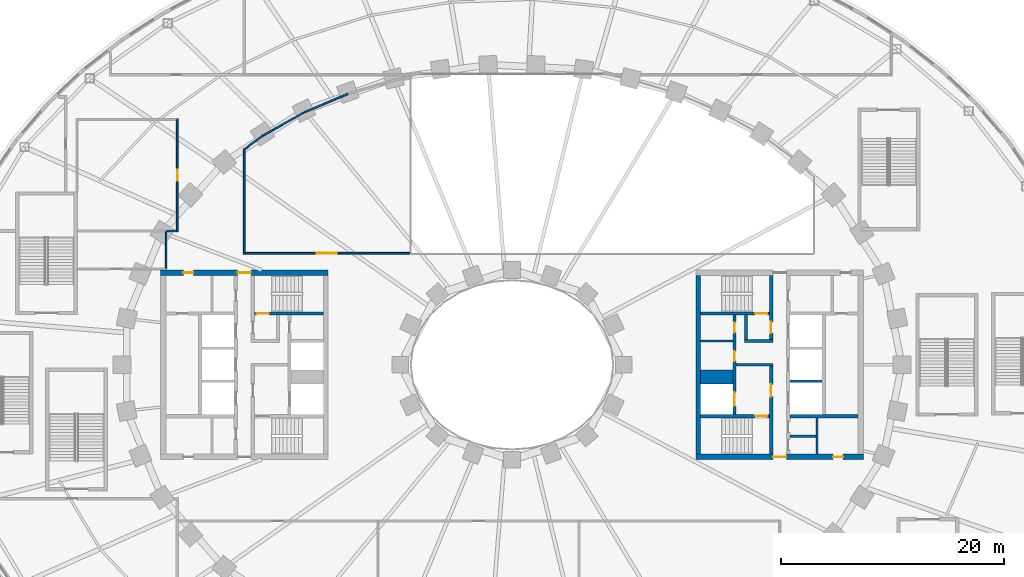
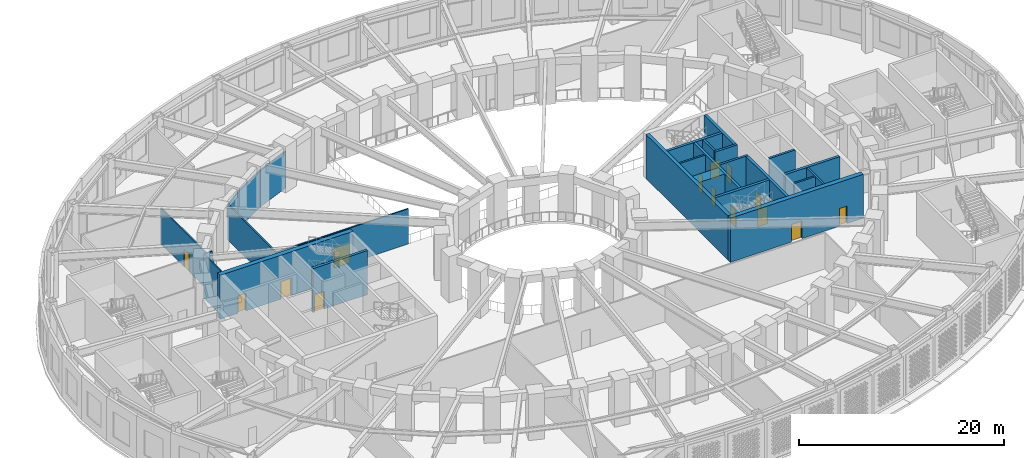
# One storey, part 18 of 69: 26 walls, 14 doors, 14 openings.
"""IFC4 building model written with IfcOpenShell, lengths in metres."""

from ifc_helpers import new_model, si_unit, direction, frame, frame_2d, origin, place, context, subcontext, project, spatial, rectangle, extrude, material, layer, layer_set, type_object, element, fill, save


model = new_model("IFC4")

# Units and contexts
model_context = context("Model", 3, precision=1e-05, world=origin(), true_north=direction((0.0, 1.0)))
body_context = subcontext(model_context, "Body", "Model", "MODEL_VIEW")
ifc_project = project(units=[si_unit("LENGTHUNIT", "METRE"), si_unit("AREAUNIT", "SQUARE_METRE"), si_unit("VOLUMEUNIT", "CUBIC_METRE"), si_unit("PLANEANGLEUNIT", "RADIAN"), si_unit("MASSUNIT", "GRAM", prefix="KILO")], contexts=[model_context])

# Site, building, storey
site_placement = place(None, origin())
site = spatial("IfcSite", under=ifc_project, at=site_placement, CompositionType="ELEMENT")
building_placement = place(site_placement, origin())
building = spatial("IfcBuilding", under=site, at=building_placement, Name="Noorbagh Ring Tower", CompositionType="ELEMENT")
storey_placement = place(building_placement, frame((0.0, 0.0, 19.5)))
storey = spatial("IfcBuildingStorey", under=building, at=storey_placement, Name="L03", CompositionType="ELEMENT", Elevation=19.5)

# Walls
ifc_material_1 = material(Name="Gypsum board on steel studs", Category="steel")
ifc_layer_1 = layer(ifc_material_1, 0.199951171875)
ifc_layer_set_1 = layer_set([ifc_layer_1], Name="Gypsum board on steel studs")
wall_type_1 = type_object("IfcWallType", Name="CORE-PARTITION-200", PredefinedType="PARTITIONING", material=ifc_layer_set_1)
wall_1_placement = place(storey_placement, frame((16.89990234375, 2.125, 0.0), z_axis=(0.0, 0.0, 1.0), x_axis=(1.0, 0.0, 0.0)))
element("IfcWall", 1, at=wall_1_placement, inside=storey, type_object=wall_type_1, Name="Core partition E", PredefinedType="PARTITIONING", context=body_context, shape_type="SweptSolid", body=[
    extrude(rectangle(XDim=2.900146484375, YDim=0.199951171875, at=frame_2d((1.4501953125, 0.0))), origin(), (0.0, 0.0, 1.0), 5.25),
])
wall_2_placement = place(storey_placement, frame((27.35009765625, -8.0, 0.0), z_axis=(0.0, 0.0, 1.0), x_axis=(0.0, 1.0, 0.0)))
element("IfcWall", 2, at=wall_2_placement, inside=storey, type_object=wall_type_1, Name="Core partition E", PredefinedType="PARTITIONING", context=body_context, shape_type="SweptSolid", body=[
    extrude(rectangle(XDim=3.25, YDim=0.199951171875, at=frame_2d((1.625, 0.0))), origin(), (0.0, 0.0, 1.0), 5.25),
])
wall_3_placement = place(storey_placement, frame((24.89990234375, -6.39990234375, 0.0), z_axis=(0.0, 0.0, 1.0), x_axis=(1.0, 0.0, 0.0)))
element("IfcWall", 3, at=wall_3_placement, inside=storey, type_object=wall_type_1, Name="Core partition E", PredefinedType="PARTITIONING", context=body_context, shape_type="SweptSolid", body=[
    extrude(rectangle(XDim=2.35009765625, YDim=0.199951171875, at=frame_2d((1.175048828125, 0.0))), origin(), (0.0, 0.0, 1.0), 5.25),
])
ifc_material_2 = material(Name="Concrete C70/85", Category="concrete")
ifc_layer_2 = layer(ifc_material_2, 1.25)
ifc_layer_set_2 = layer_set([ifc_layer_2], Name="Concrete C70/85")
wall_type_2 = type_object("IfcWallType", Name="CORE-WALL-1250-C70-85-EI120", PredefinedType="SHEAR", material=ifc_layer_set_2)
wall_4_placement = place(storey_placement, frame((16.89990234375, -1.074951171875, 0.0), z_axis=(0.0, 0.0, 1.0), x_axis=(1.0, 0.0, 0.0)))
element("IfcWall", 4, at=wall_4_placement, inside=storey, type_object=wall_type_2, Name="Core wall E", PredefinedType="SHEAR", context=body_context, shape_type="SweptSolid", body=[
    extrude(rectangle(XDim=2.900146484375, YDim=1.25, at=frame_2d((1.4501953125, 0.0))), origin(), (0.0, 0.0, 1.0), 5.25),
])
ifc_material_3 = material(Name="Concrete C70/85", Category="concrete")
ifc_layer_3 = layer(ifc_material_3, 0.25)
ifc_layer_set_3 = layer_set([ifc_layer_3], Name="Concrete C70/85")
wall_type_3 = type_object("IfcWallType", Name="CORE-WALL-250-C70-85-EI120", PredefinedType="SHEAR", material=ifc_layer_set_3)
wall_5_placement = place(storey_placement, frame((24.89990234375, -1.47509765625, 0.0), z_axis=(0.0, 0.0, 1.0), x_axis=(1.0, 0.0, 0.0)))
element("IfcWall", 5, at=wall_5_placement, inside=storey, type_object=wall_type_3, Name="Core wall E", PredefinedType="SHEAR", context=body_context, shape_type="SweptSolid", body=[
    extrude(rectangle(XDim=2.900146484375, YDim=0.25, at=frame_2d((1.4501953125, 0.0))), origin(), (0.0, 0.0, 1.0), 5.25),
])
ifc_material_4 = material(Name="Concrete C70/85", Category="concrete")
ifc_layer_4 = layer(ifc_material_4, 0.25)
ifc_layer_set_4 = layer_set([ifc_layer_4], Name="Concrete C70/85")
wall_type_4 = type_object("IfcWallType", Name="CORE-WALL-250-C70-85-EI240", PredefinedType="SHEAR", material=ifc_layer_set_4)
wall_6_placement = place(storey_placement, frame((20.10009765625, 0.0, 0.0), z_axis=(0.0, 0.0, 1.0), x_axis=(1.0, 0.0, 0.0)))
element("IfcWall", 6, at=wall_6_placement, inside=storey, type_object=wall_type_4, Name="Core wall E", PredefinedType="SHEAR", context=body_context, shape_type="SweptSolid", body=[
    extrude(rectangle(XDim=3.27978515625, YDim=0.25, at=frame_2d((1.639892578125, 0.0))), origin(), (0.0, 0.0, 1.0), 5.25),
])
wall_7_placement = place(storey_placement, frame((20.85009765625, 2.125, 0.0), z_axis=(0.0, 0.0, 1.0), x_axis=(1.0, 0.0, 0.0)))
element("IfcWall", 7, at=wall_7_placement, inside=storey, type_object=wall_type_4, Name="Core wall E", PredefinedType="SHEAR", context=body_context, shape_type="SweptSolid", body=[
    extrude(rectangle(XDim=2.52978515625, YDim=0.25, at=frame_2d((1.264892578125, 0.0))), origin(), (0.0, 0.0, 1.0), 5.25),
])
wall_8_placement = place(storey_placement, frame((20.97509765625, 2.25, 0.0), z_axis=(0.0, 0.0, 1.0), x_axis=(0.0, 1.0, 0.0)))
element("IfcWall", 8, at=wall_8_placement, inside=storey, type_object=wall_type_4, Name="Core wall E", PredefinedType="SHEAR", context=body_context, shape_type="SweptSolid", body=[
    extrude(rectangle(XDim=2.199951171875, YDim=0.25, at=frame_2d((1.10009765625, 0.0))), origin(), (0.0, 0.0, 1.0), 5.25),
])

# Wall, openings, doors
ifc_material_5 = material(Name="Concrete C70/85", Category="concrete")
ifc_layer_5 = layer(ifc_material_5, 0.300048828125)
ifc_layer_set_5 = layer_set([ifc_layer_5], Name="Concrete C70/85")
wall_type_5 = type_object("IfcWallType", Name="CORE-WALL-300-C70-85-EI120", PredefinedType="SHEAR", material=ifc_layer_set_5)
wall_9_placement = place(storey_placement, frame((19.949951171875, -4.449951171875, 0.0), z_axis=(0.0, 0.0, 1.0), x_axis=(0.0, 1.0, 0.0)))
wall_9 = element("IfcWall", 9, at=wall_9_placement, inside=storey, type_object=wall_type_5, Name="Core wall E", PredefinedType="SHEAR", context=body_context, shape_type="SweptSolid", body=[
    extrude(rectangle(XDim=8.89990234375, YDim=0.300048828125, at=frame_2d((4.449951171875, 0.0))), origin(), (0.0, 0.0, 1.0), 5.25),
])
opening_1_placement = place(wall_9_placement, frame((0.77490234375, 0.0, 0.0)))
opening_1 = element("IfcOpeningElement", 10, at=opening_1_placement, cuts=wall_9, Name="Opening L03-CE01", PredefinedType="OPENING", context=body_context, shape_type="SweptSolid", body=[
    extrude(rectangle(XDim=1.199951171875, YDim=2.10009765625, at=frame_2d((0.60009765625, 1.050048828125))), frame((0.0, 0.16015625, 0.0), z_axis=(0.0, -1.0, 0.0), x_axis=(1.0, 0.0, 0.0)), (0.0, 0.0, 1.0), 0.320068359375),
])
opening_2_placement = place(wall_9_placement, frame((4.78759765625, 0.0, 0.0)))
opening_2 = element("IfcOpeningElement", 11, at=opening_2_placement, cuts=wall_9, Name="Opening L03-CE11", PredefinedType="OPENING", context=body_context, shape_type="SweptSolid", body=[
    extrude(rectangle(XDim=0.89990234375, YDim=2.10009765625, at=frame_2d((0.449951171875, 1.050048828125))), frame((0.0, 0.16015625, 0.0), z_axis=(0.0, -1.0, 0.0), x_axis=(1.0, 0.0, 0.0)), (0.0, 0.0, 1.0), 0.320068359375),
])
opening_3_placement = place(wall_9_placement, frame((7.33740234375, 0.0, 0.0)))
opening_3 = element("IfcOpeningElement", 12, at=opening_3_placement, cuts=wall_9, Name="Opening L03-CE12", PredefinedType="OPENING", context=body_context, shape_type="SweptSolid", body=[
    extrude(rectangle(XDim=0.89990234375, YDim=2.10009765625, at=frame_2d((0.449951171875, 1.050048828125))), frame((0.0, 0.16015625, 0.0), z_axis=(0.0, -1.0, 0.0), x_axis=(1.0, 0.0, 0.0)), (0.0, 0.0, 1.0), 0.320068359375),
])
ifc_material_6 = material(Name="Steel door leaf", Category="steel")
door_type_1 = type_object("IfcDoorType", Name="CORE-DOOR-DROOM", OperationType="SINGLE_SWING_LEFT", PredefinedType="DOOR", material=ifc_material_6)
door_1_placement = place(opening_2_placement, origin())
door_1 = element("IfcDoor", 13, at=door_1_placement, inside=storey, type_object=door_type_1, Name="Core room door L03-CE11", OperationType="SINGLE_SWING_RIGHT", OverallHeight=2.10009765625, OverallWidth=0.89990234375, PredefinedType="DOOR", context=body_context, shape_type="SweptSolid", body=[
    extrude(rectangle(XDim=0.89990234375, YDim=2.10009765625, at=frame_2d((0.449951171875, 1.050048828125))), frame((0.0, 0.02490234375, 0.0), z_axis=(0.0, -1.0, 0.0), x_axis=(1.0, 0.0, 0.0)), (0.0, 0.0, 1.0), 0.050048828125),
])
fill(opening_2, door_1)
door_2_placement = place(opening_3_placement, origin())
door_2 = element("IfcDoor", 14, at=door_2_placement, inside=storey, type_object=door_type_1, Name="Core room door L03-CE12", OperationType="SINGLE_SWING_RIGHT", OverallHeight=2.10009765625, OverallWidth=0.89990234375, PredefinedType="DOOR", context=body_context, shape_type="SweptSolid", body=[
    extrude(rectangle(XDim=0.89990234375, YDim=2.10009765625, at=frame_2d((0.449951171875, 1.050048828125))), frame((0.0, 0.02490234375, 0.0), z_axis=(0.0, -1.0, 0.0), x_axis=(1.0, 0.0, 0.0)), (0.0, 0.0, 1.0), 0.050048828125),
])
fill(opening_3, door_2)
ifc_material_7 = material(Name="Steel door leaf", Category="steel")
door_type_2 = type_object("IfcDoorType", Name="CORE-DOOR-LDW", OperationType="DOUBLE_DOOR_SLIDING", PredefinedType="DOOR", material=ifc_material_7)
door_3_placement = place(opening_1_placement, origin())
door_3 = element("IfcDoor", 15, at=door_3_placement, inside=storey, type_object=door_type_2, Name="Landing door FF2 L03-CE01", OperationType="DOUBLE_DOOR_SLIDING", OverallHeight=2.10009765625, OverallWidth=1.199951171875, PredefinedType="DOOR", context=body_context, shape_type="SweptSolid", body=[
    extrude(rectangle(XDim=1.199951171875, YDim=2.10009765625, at=frame_2d((0.60009765625, 1.050048828125))), frame((0.0, 0.02490234375, 0.0), z_axis=(0.0, -1.0, 0.0), x_axis=(1.0, 0.0, 0.0)), (0.0, 0.0, 1.0), 0.050048828125),
])
fill(opening_1, door_3)

# Wall, opening, door
ifc_material_8 = material(Name="Concrete C70/85", Category="concrete")
ifc_layer_6 = layer(ifc_material_8, 0.300048828125)
ifc_layer_set_6 = layer_set([ifc_layer_6], Name="Concrete C70/85")
wall_type_6 = type_object("IfcWallType", Name="CORE-WALL-300-C70-85-EI240", PredefinedType="SHEAR", material=ifc_layer_set_6)
wall_10_placement = place(storey_placement, frame((-16.89990234375, 4.60009765625, 0.0), z_axis=(0.0, 0.0, 1.0), x_axis=(-1.0, 0.0, 0.0)))
wall_10 = element("IfcWall", 16, at=wall_10_placement, inside=storey, type_object=wall_type_6, Name="Core wall W", PredefinedType="SHEAR", context=body_context, shape_type="SweptSolid", body=[
    extrude(rectangle(XDim=6.18017578125, YDim=0.300048828125, at=frame_2d((3.090087890625, 0.0))), origin(), (0.0, 0.0, 1.0), 5.25),
])
opening_4_placement = place(wall_10_placement, frame((4.89990234375, 0.0, 0.0)))
opening_4 = element("IfcOpeningElement", 17, at=opening_4_placement, cuts=wall_10, Name="Opening L03-CW05", PredefinedType="OPENING", context=body_context, shape_type="SweptSolid", body=[
    extrude(rectangle(XDim=1.10009765625, YDim=2.10009765625, at=frame_2d((0.550048828125, 1.050048828125))), frame((0.0, 0.16015625, 0.0), z_axis=(0.0, -1.0, 0.0), x_axis=(1.0, 0.0, 0.0)), (0.0, 0.0, 1.0), 0.320068359375),
])
ifc_material_9 = material(Name="Steel door leaf", Category="steel")
door_type_3 = type_object("IfcDoorType", Name="CORE-DOOR-DSTAIR", OperationType="SINGLE_SWING_LEFT", PredefinedType="DOOR", material=ifc_material_9)
door_4_placement = place(opening_4_placement, origin())
door_4 = element("IfcDoor", 18, at=door_4_placement, inside=storey, type_object=door_type_3, Name="Stair door ST1 L03-CW05", OperationType="SINGLE_SWING_RIGHT", OverallHeight=2.10009765625, OverallWidth=1.10009765625, PredefinedType="DOOR", context=body_context, shape_type="SweptSolid", body=[
    extrude(rectangle(XDim=1.10009765625, YDim=2.10009765625, at=frame_2d((0.550048828125, 1.050048828125))), frame((0.0, 0.02490234375, 0.0), z_axis=(0.0, -1.0, 0.0), x_axis=(1.0, 0.0, 0.0)), (0.0, 0.0, 1.0), 0.050048828125),
])
fill(opening_4, door_4)

# Wall
wall_11_placement = place(storey_placement, frame((24.89990234375, -4.60009765625, 0.0), z_axis=(0.0, 0.0, 1.0), x_axis=(1.0, 0.0, 0.0)))
element("IfcWall", 19, at=wall_11_placement, inside=storey, type_object=wall_type_6, Name="Core wall E", PredefinedType="SHEAR", context=body_context, shape_type="SweptSolid", body=[
    extrude(rectangle(XDim=6.10009765625, YDim=0.300048828125, at=frame_2d((3.050048828125, 0.0))), origin(), (0.0, 0.0, 1.0), 5.25),
])

# Wall, opening, door
wall_12_placement = place(storey_placement, frame((23.22998046875, 2.25, 0.0), z_axis=(0.0, 0.0, 1.0), x_axis=(0.0, 1.0, 0.0)))
wall_12 = element("IfcWall", 20, at=wall_12_placement, inside=storey, type_object=wall_type_6, Name="Core wall E", PredefinedType="SHEAR", context=body_context, shape_type="SweptSolid", body=[
    extrude(rectangle(XDim=5.75, YDim=0.300048828125, at=frame_2d((2.875, 0.0))), origin(), (0.0, 0.0, 1.0), 5.25),
])
opening_5_placement = place(wall_12_placement, frame((0.60009765625, 0.0, 0.0)))
opening_5 = element("IfcOpeningElement", 21, at=opening_5_placement, cuts=wall_12, Name="Opening L03-CE08", PredefinedType="OPENING", context=body_context, shape_type="SweptSolid", body=[
    extrude(rectangle(XDim=1.0, YDim=2.10009765625, at=frame_2d((0.5, 1.050048828125))), frame((0.0, 0.16015625, 0.0), z_axis=(0.0, -1.0, 0.0), x_axis=(1.0, 0.0, 0.0)), (0.0, 0.0, 1.0), 0.320068359375),
])
ifc_material_10 = material(Name="Steel door leaf", Category="steel")
door_type_4 = type_object("IfcDoorType", Name="CORE-DOOR-DVEST", OperationType="SINGLE_SWING_LEFT", PredefinedType="DOOR", material=ifc_material_10)
door_5_placement = place(opening_5_placement, origin())
door_5 = element("IfcDoor", 22, at=door_5_placement, inside=storey, type_object=door_type_4, Name="Stair vestibule door L03-CE08", OperationType="SINGLE_SWING_RIGHT", OverallHeight=2.10009765625, OverallWidth=1.0, PredefinedType="DOOR", context=body_context, shape_type="SweptSolid", body=[
    extrude(rectangle(XDim=1.0, YDim=2.10009765625, at=frame_2d((0.5, 1.050048828125))), frame((0.0, 0.02490234375, 0.0), z_axis=(0.0, -1.0, 0.0), x_axis=(1.0, 0.0, 0.0)), (0.0, 0.0, 1.0), 0.050048828125),
])
fill(opening_5, door_5)

wall_13_placement = place(storey_placement, frame((23.22998046875, -8.0, 0.0), z_axis=(0.0, 0.0, 1.0), x_axis=(0.0, 1.0, 0.0)))
wall_13 = element("IfcWall", 23, at=wall_13_placement, inside=storey, type_object=wall_type_6, Name="Core wall E", PredefinedType="SHEAR", context=body_context, shape_type="SweptSolid", body=[
    extrude(rectangle(XDim=7.875, YDim=0.300048828125, at=frame_2d((3.9375, 0.0))), origin(), (0.0, 0.0, 1.0), 5.25),
])
opening_6_placement = place(wall_13_placement, frame((5.14990234375, 0.0, 0.0)))
opening_6 = element("IfcOpeningElement", 24, at=opening_6_placement, cuts=wall_13, Name="Opening L03-CE07", PredefinedType="OPENING", context=body_context, shape_type="SweptSolid", body=[
    extrude(rectangle(XDim=1.10009765625, YDim=2.10009765625, at=frame_2d((0.550048828125, 1.050048828125))), frame((0.0, 0.16015625, 0.0), z_axis=(0.0, -1.0, 0.0), x_axis=(1.0, 0.0, 0.0)), (0.0, 0.0, 1.0), 0.320068359375),
])
ifc_material_11 = material(Name="Steel door leaf", Category="steel")
door_type_5 = type_object("IfcDoorType", Name="CORE-DOOR-DFF", OperationType="SINGLE_SWING_LEFT", PredefinedType="DOOR", material=ifc_material_11)
door_6_placement = place(opening_6_placement, origin())
door_6 = element("IfcDoor", 25, at=door_6_placement, inside=storey, type_object=door_type_5, Name="Firefighting lobby door L03-CE07", OperationType="SINGLE_SWING_RIGHT", OverallHeight=2.10009765625, OverallWidth=1.10009765625, PredefinedType="DOOR", context=body_context, shape_type="SweptSolid", body=[
    extrude(rectangle(XDim=1.10009765625, YDim=2.10009765625, at=frame_2d((0.550048828125, 1.050048828125))), frame((0.0, 0.02490234375, 0.0), z_axis=(0.0, -1.0, 0.0), x_axis=(1.0, 0.0, 0.0)), (0.0, 0.0, 1.0), 0.050048828125),
])
fill(opening_6, door_6)

wall_14_placement = place(storey_placement, frame((16.89990234375, 4.60009765625, 0.0), z_axis=(0.0, 0.0, 1.0), x_axis=(1.0, 0.0, 0.0)))
wall_14 = element("IfcWall", 26, at=wall_14_placement, inside=storey, type_object=wall_type_6, Name="Core wall E", PredefinedType="SHEAR", context=body_context, shape_type="SweptSolid", body=[
    extrude(rectangle(XDim=6.18017578125, YDim=0.300048828125, at=frame_2d((3.090087890625, 0.0))), origin(), (0.0, 0.0, 1.0), 5.25),
])
opening_7_placement = place(wall_14_placement, frame((4.89990234375, 0.0, 0.0)))
opening_7 = element("IfcOpeningElement", 27, at=opening_7_placement, cuts=wall_14, Name="Opening L03-CE05", PredefinedType="OPENING", context=body_context, shape_type="SweptSolid", body=[
    extrude(rectangle(XDim=1.10009765625, YDim=2.10009765625, at=frame_2d((0.550048828125, 1.050048828125))), frame((0.0, 0.16015625, 0.0), z_axis=(0.0, -1.0, 0.0), x_axis=(1.0, 0.0, 0.0)), (0.0, 0.0, 1.0), 0.320068359375),
])
door_7_placement = place(opening_7_placement, origin())
door_7 = element("IfcDoor", 28, at=door_7_placement, inside=storey, type_object=door_type_3, Name="Stair door ST3 L03-CE05", OperationType="SINGLE_SWING_LEFT", OverallHeight=2.10009765625, OverallWidth=1.10009765625, PredefinedType="DOOR", context=body_context, shape_type="SweptSolid", body=[
    extrude(rectangle(XDim=1.10009765625, YDim=2.10009765625, at=frame_2d((0.550048828125, 1.050048828125))), frame((0.0, 0.02490234375, 0.0), z_axis=(0.0, -1.0, 0.0), x_axis=(1.0, 0.0, 0.0)), (0.0, 0.0, 1.0), 0.050048828125),
])
fill(opening_7, door_7)

wall_15_placement = place(storey_placement, frame((16.89990234375, -4.60009765625, 0.0), z_axis=(0.0, 0.0, 1.0), x_axis=(1.0, 0.0, 0.0)))
wall_15 = element("IfcWall", 29, at=wall_15_placement, inside=storey, type_object=wall_type_6, Name="Core wall E", PredefinedType="SHEAR", context=body_context, shape_type="SweptSolid", body=[
    extrude(rectangle(XDim=6.18017578125, YDim=0.300048828125, at=frame_2d((3.090087890625, 0.0))), origin(), (0.0, 0.0, 1.0), 5.25),
])
opening_8_placement = place(wall_15_placement, frame((4.89990234375, 0.0, 0.0)))
opening_8 = element("IfcOpeningElement", 30, at=opening_8_placement, cuts=wall_15, Name="Opening L03-CE06", PredefinedType="OPENING", context=body_context, shape_type="SweptSolid", body=[
    extrude(rectangle(XDim=1.10009765625, YDim=2.10009765625, at=frame_2d((0.550048828125, 1.050048828125))), frame((0.0, 0.16015625, 0.0), z_axis=(0.0, -1.0, 0.0), x_axis=(1.0, 0.0, 0.0)), (0.0, 0.0, 1.0), 0.320068359375),
])
door_8_placement = place(opening_8_placement, origin())
door_8 = element("IfcDoor", 31, at=door_8_placement, inside=storey, type_object=door_type_3, Name="Stair door ST4 L03-CE06", OperationType="SINGLE_SWING_RIGHT", OverallHeight=2.10009765625, OverallWidth=1.10009765625, PredefinedType="DOOR", context=body_context, shape_type="SweptSolid", body=[
    extrude(rectangle(XDim=1.10009765625, YDim=2.10009765625, at=frame_2d((0.550048828125, 1.050048828125))), frame((0.0, 0.02490234375, 0.0), z_axis=(0.0, -1.0, 0.0), x_axis=(1.0, 0.0, 0.0)), (0.0, 0.0, 1.0), 0.050048828125),
])
fill(opening_8, door_8)

# Wall
ifc_material_12 = material(Name="Concrete C70/85", Category="concrete")
ifc_layer_7 = layer(ifc_material_12, 0.39990234375)
ifc_layer_set_7 = layer_set([ifc_layer_7], Name="Concrete C70/85")
wall_type_7 = type_object("IfcWallType", Name="CORE-WALL-400-C70-85-EI240", PredefinedType="SHEAR", material=ifc_layer_set_7)
wall_16_placement = place(storey_placement, frame((16.699951171875, -8.0, 0.0), z_axis=(0.0, 0.0, 1.0), x_axis=(0.0, 1.0, 0.0)))
element("IfcWall", 32, at=wall_16_placement, inside=storey, type_object=wall_type_7, Name="Core wall E", PredefinedType="SHEAR", context=body_context, shape_type="SweptSolid", body=[
    extrude(rectangle(XDim=16.0, YDim=0.39990234375, at=frame_2d((8.0, 0.0))), origin(), (0.0, 0.0, 1.0), 5.25),
])

# Wall, openings, doors
ifc_material_13 = material(Name="Concrete C70/85", Category="concrete")
ifc_layer_8 = layer(ifc_material_13, 0.5)
ifc_layer_set_8 = layer_set([ifc_layer_8], Name="Concrete C70/85")
wall_type_8 = type_object("IfcWallType", Name="CORE-WALL-500-C70-85-EI240", PredefinedType="SHEAR", material=ifc_layer_set_8)
wall_17_placement = place(storey_placement, frame((-16.5, 8.25, 0.0), z_axis=(0.0, 0.0, 1.0), x_axis=(-1.0, 0.0, 0.0)))
wall_17 = element("IfcWall", 33, at=wall_17_placement, inside=storey, type_object=wall_type_8, Name="Core wall W", PredefinedType="SHEAR", context=body_context, shape_type="SweptSolid", body=[
    extrude(rectangle(XDim=15.0, YDim=0.5, at=frame_2d((7.5, 0.0))), origin(), (0.0, 0.0, 1.0), 5.25),
])
opening_9_placement = place(wall_17_placement, frame((6.89990234375, 0.0, 0.0)))
opening_9 = element("IfcOpeningElement", 34, at=opening_9_placement, cuts=wall_17, Name="Opening L03-CW09", PredefinedType="OPENING", context=body_context, shape_type="SweptSolid", body=[
    extrude(rectangle(XDim=1.199951171875, YDim=2.10009765625, at=frame_2d((0.60009765625, 1.050048828125))), frame((0.0, 0.260009765625, 0.0), z_axis=(0.0, -1.0, 0.0), x_axis=(1.0, 0.0, 0.0)), (0.0, 0.0, 1.0), 0.52001953125),
])
opening_10_placement = place(wall_17_placement, frame((12.050048828125, 0.0, 0.0)))
opening_10 = element("IfcOpeningElement", 35, at=opening_10_placement, cuts=wall_17, Name="Opening L03-CW13", PredefinedType="OPENING", context=body_context, shape_type="SweptSolid", body=[
    extrude(rectangle(XDim=0.89990234375, YDim=2.10009765625, at=frame_2d((0.449951171875, 1.050048828125))), frame((0.0, 0.260009765625, 0.0), z_axis=(0.0, -1.0, 0.0), x_axis=(1.0, 0.0, 0.0)), (0.0, 0.0, 1.0), 0.52001953125),
])
door_9_placement = place(opening_10_placement, origin())
door_9 = element("IfcDoor", 36, at=door_9_placement, inside=storey, type_object=door_type_1, Name="Core room door L03-CW13", OperationType="SINGLE_SWING_RIGHT", OverallHeight=2.10009765625, OverallWidth=0.89990234375, PredefinedType="DOOR", context=body_context, shape_type="SweptSolid", body=[
    extrude(rectangle(XDim=0.89990234375, YDim=2.10009765625, at=frame_2d((0.449951171875, 1.050048828125))), frame((0.0, 0.02490234375, 0.0), z_axis=(0.0, -1.0, 0.0), x_axis=(1.0, 0.0, 0.0)), (0.0, 0.0, 1.0), 0.050048828125),
])
fill(opening_10, door_9)
ifc_material_14 = material(Name="Steel door leaf", Category="steel")
door_type_6 = type_object("IfcDoorType", Name="CORE-DOOR-PORT", OperationType="DOUBLE_DOOR_DOUBLE_SWING", PredefinedType="DOOR", material=ifc_material_14)
door_10_placement = place(opening_9_placement, origin())
door_10 = element("IfcDoor", 37, at=door_10_placement, inside=storey, type_object=door_type_6, Name="Core entrance door L03-CW09", OperationType="DOUBLE_DOOR_DOUBLE_SWING", OverallHeight=2.10009765625, OverallWidth=1.199951171875, PredefinedType="DOOR", context=body_context, shape_type="SweptSolid", body=[
    extrude(rectangle(XDim=1.199951171875, YDim=2.10009765625, at=frame_2d((0.60009765625, 1.050048828125))), frame((0.0, 0.02490234375, 0.0), z_axis=(0.0, -1.0, 0.0), x_axis=(1.0, 0.0, 0.0)), (0.0, 0.0, 1.0), 0.050048828125),
])
fill(opening_9, door_10)

wall_18_placement = place(storey_placement, frame((16.5, -8.25, 0.0), z_axis=(0.0, 0.0, 1.0), x_axis=(1.0, 0.0, 0.0)))
wall_18 = element("IfcWall", 38, at=wall_18_placement, inside=storey, type_object=wall_type_8, Name="Core wall E", PredefinedType="SHEAR", context=body_context, shape_type="SweptSolid", body=[
    extrude(rectangle(XDim=15.0, YDim=0.5, at=frame_2d((7.5, 0.0))), origin(), (0.0, 0.0, 1.0), 5.25),
])
opening_11_placement = place(wall_18_placement, frame((6.89990234375, 0.0, 0.0)))
opening_11 = element("IfcOpeningElement", 39, at=opening_11_placement, cuts=wall_18, Name="Opening L03-CE10", PredefinedType="OPENING", context=body_context, shape_type="SweptSolid", body=[
    extrude(rectangle(XDim=1.199951171875, YDim=2.10009765625, at=frame_2d((0.60009765625, 1.050048828125))), frame((0.0, 0.260009765625, 0.0), z_axis=(0.0, -1.0, 0.0), x_axis=(1.0, 0.0, 0.0)), (0.0, 0.0, 1.0), 0.52001953125),
])
opening_12_placement = place(wall_18_placement, frame((12.27490234375, 0.0, 0.0)))
opening_12 = element("IfcOpeningElement", 40, at=opening_12_placement, cuts=wall_18, Name="Opening L03-CE17", PredefinedType="OPENING", context=body_context, shape_type="SweptSolid", body=[
    extrude(rectangle(XDim=0.89990234375, YDim=2.10009765625, at=frame_2d((0.449951171875, 1.050048828125))), frame((0.0, 0.260009765625, 0.0), z_axis=(0.0, -1.0, 0.0), x_axis=(1.0, 0.0, 0.0)), (0.0, 0.0, 1.0), 0.52001953125),
])
door_11_placement = place(opening_12_placement, origin())
door_11 = element("IfcDoor", 41, at=door_11_placement, inside=storey, type_object=door_type_1, Name="Core room door L03-CE17", OperationType="SINGLE_SWING_RIGHT", OverallHeight=2.10009765625, OverallWidth=0.89990234375, PredefinedType="DOOR", context=body_context, shape_type="SweptSolid", body=[
    extrude(rectangle(XDim=0.89990234375, YDim=2.10009765625, at=frame_2d((0.449951171875, 1.050048828125))), frame((0.0, 0.02490234375, 0.0), z_axis=(0.0, -1.0, 0.0), x_axis=(1.0, 0.0, 0.0)), (0.0, 0.0, 1.0), 0.050048828125),
])
fill(opening_12, door_11)
door_12_placement = place(opening_11_placement, origin())
door_12 = element("IfcDoor", 42, at=door_12_placement, inside=storey, type_object=door_type_6, Name="Core entrance door L03-CE10", OperationType="DOUBLE_DOOR_DOUBLE_SWING", OverallHeight=2.10009765625, OverallWidth=1.199951171875, PredefinedType="DOOR", context=body_context, shape_type="SweptSolid", body=[
    extrude(rectangle(XDim=1.199951171875, YDim=2.10009765625, at=frame_2d((0.60009765625, 1.050048828125))), frame((0.0, 0.02490234375, 0.0), z_axis=(0.0, -1.0, 0.0), x_axis=(1.0, 0.0, 0.0)), (0.0, 0.0, 1.0), 0.050048828125),
])
fill(opening_11, door_12)

# Walls
ifc_material_15 = material(Name="Gypsum board on steel studs", Category="steel")
ifc_layer_9 = layer(ifc_material_15, 0.14990234375)
ifc_layer_set_9 = layer_set([ifc_layer_9], Name="Gypsum board on steel studs")
wall_type_9 = type_object("IfcWallType", Name="GND-PART-150", PredefinedType="PARTITIONING", material=ifc_layer_set_9)
wall_19_placement = place(storey_placement, frame((-22.345947265625, 20.537109375, 0.0), z_axis=(0.0, 0.0, 1.0), x_axis=(0.872066959566, 0.489386573204, 0.0)))
element("IfcWall", 43, at=wall_19_placement, inside=storey, type_object=wall_type_9, Name="L03/wall/P001", PredefinedType="PARTITIONING", context=body_context, shape_type="SweptSolid", body=[
    extrude(rectangle(XDim=4.241943359375, YDim=0.14990234375, at=frame_2d((2.12109375, 0.0))), origin(), (0.0, 0.0, 1.0), 4.35009765625),
])
wall_20_placement = place(storey_placement, frame((-18.6494140625, 22.621337890625, 0.0), z_axis=(0.0, 0.0, 1.0), x_axis=(0.921813560734, 0.387633537309, 0.0)))
element("IfcWall", 44, at=wall_20_placement, inside=storey, type_object=wall_type_9, Name="L03/wall/P002", PredefinedType="PARTITIONING", context=body_context, shape_type="SweptSolid", body=[
    extrude(rectangle(XDim=4.253173828125, YDim=0.14990234375, at=frame_2d((2.12646484375, 0.0))), origin(), (0.0, 0.0, 1.0), 4.35009765625),
])

# Wall, opening, door
wall_21_placement = place(storey_placement, frame((-9.14990234375, 10.0, 0.0), z_axis=(0.0, 0.0, 1.0), x_axis=(-1.0, 0.0, 0.0)))
wall_21 = element("IfcWall", 45, at=wall_21_placement, inside=storey, type_object=wall_type_9, Name="L03/wall/P005", PredefinedType="PARTITIONING", context=body_context, shape_type="SweptSolid", body=[
    extrude(rectangle(XDim=14.925048828125, YDim=0.14990234375, at=frame_2d((7.46240234375, 0.0))), origin(), (0.0, 0.0, 1.0), 4.199951171875),
])
opening_13_placement = place(wall_21_placement, frame((6.5625, 0.0, 0.0)))
opening_13 = element("IfcOpeningElement", 46, at=opening_13_placement, cuts=wall_21, Name="Opening GD7", PredefinedType="OPENING", context=body_context, shape_type="SweptSolid", body=[
    extrude(rectangle(XDim=1.800048828125, YDim=2.39990234375, at=frame_2d((0.89990234375, 1.199951171875))), frame((0.0, 0.0849609375, 0.0), z_axis=(0.0, -1.0, 0.0), x_axis=(1.0, 0.0, 0.0)), (0.0, 0.0, 1.0), 0.169921875),
])
ifc_material_16 = material(Name="Timber and glass", Category="wood")
door_type_7 = type_object("IfcDoorType", Name="GND-DOOR-HALL-DBL", OperationType="DOUBLE_DOOR_SINGLE_SWING", PredefinedType="DOOR", material=ifc_material_16)
door_13_placement = place(opening_13_placement, origin())
door_13 = element("IfcDoor", 47, at=door_13_placement, inside=storey, type_object=door_type_7, Name="Upper circle door", OperationType="DOUBLE_DOOR_SINGLE_SWING", OverallHeight=2.39990234375, OverallWidth=1.800048828125, PredefinedType="DOOR", context=body_context, shape_type="SweptSolid", body=[
    extrude(rectangle(XDim=1.800048828125, YDim=2.39990234375, at=frame_2d((0.89990234375, 1.199951171875))), frame((0.0, 0.02490234375, 0.0), z_axis=(0.0, -1.0, 0.0), x_axis=(1.0, 0.0, 0.0)), (0.0, 0.0, 1.0), 0.050048828125),
])
fill(opening_13, door_13)

# Walls
wall_22_placement = place(storey_placement, frame((-24.0, 10.074951171875, 0.0), z_axis=(0.0, 0.0, 1.0), x_axis=(0.0, 1.0, 0.0)))
element("IfcWall", 48, at=wall_22_placement, inside=storey, type_object=wall_type_9, Name="L03/wall/P006", PredefinedType="PARTITIONING", context=body_context, shape_type="SweptSolid", body=[
    extrude(rectangle(XDim=9.30712890625, YDim=0.14990234375, at=frame_2d((4.653564453125, 0.0))), origin(), (0.0, 0.0, 1.0), 4.199951171875),
])
wall_23_placement = place(storey_placement, frame((-23.9267578125, 19.361083984375, 0.0), z_axis=(0.0, 0.0, 1.0), x_axis=(0.805121312462, 0.593110168703, 0.0)))
element("IfcWall", 49, at=wall_23_placement, inside=storey, type_object=wall_type_9, Name="L03/wall/P007", PredefinedType="PARTITIONING", context=body_context, shape_type="SweptSolid", body=[
    extrude(rectangle(XDim=1.968017578125, YDim=0.14990234375, at=frame_2d((0.98388671875, 0.0))), origin(), (0.0, 0.0, 1.0), 4.35009765625),
])

# Wall, opening, door
wall_24_placement = place(storey_placement, frame((-30.0, 22.074951171875, 0.0), z_axis=(0.0, 0.0, 1.0), x_axis=(0.0, -1.0, 0.0)))
wall_24 = element("IfcWall", 50, at=wall_24_placement, inside=storey, type_object=wall_type_9, Name="L03/wall/P029", PredefinedType="PARTITIONING", context=body_context, shape_type="SweptSolid", body=[
    extrude(rectangle(XDim=10.14990234375, YDim=0.14990234375, at=frame_2d((5.074951171875, 0.0))), origin(), (0.0, 0.0, 1.0), 4.25),
])
opening_14_placement = place(wall_24_placement, frame((4.574951171875, 0.0, 0.0)))
opening_14 = element("IfcOpeningElement", 51, at=opening_14_placement, cuts=wall_24, Name="Opening GD6", PredefinedType="OPENING", context=body_context, shape_type="SweptSolid", body=[
    extrude(rectangle(XDim=1.0, YDim=2.10009765625, at=frame_2d((0.5, 1.050048828125))), frame((0.0, 0.0849609375, 0.0), z_axis=(0.0, -1.0, 0.0), x_axis=(1.0, 0.0, 0.0)), (0.0, 0.0, 1.0), 0.169921875),
])
ifc_material_17 = material(Name="Timber", Category="wood")
door_type_8 = type_object("IfcDoorType", Name="GND-DOOR-HALL", OperationType="SINGLE_SWING_LEFT", PredefinedType="DOOR", material=ifc_material_17)
door_14_placement = place(opening_14_placement, origin())
door_14 = element("IfcDoor", 52, at=door_14_placement, inside=storey, type_object=door_type_8, Name="Public WCs door", OperationType="SINGLE_SWING_RIGHT", OverallHeight=2.10009765625, OverallWidth=1.0, PredefinedType="DOOR", context=body_context, shape_type="SweptSolid", body=[
    extrude(rectangle(XDim=1.0, YDim=2.10009765625, at=frame_2d((0.5, 1.050048828125))), frame((0.0, 0.02490234375, 0.0), z_axis=(0.0, -1.0, 0.0), x_axis=(1.0, 0.0, 0.0)), (0.0, 0.0, 1.0), 0.050048828125),
])
fill(opening_14, door_14)

# Walls
wall_25_placement = place(storey_placement, frame((-30.074951171875, 12.0, 0.0), z_axis=(0.0, 0.0, 1.0), x_axis=(-1.0, 0.0, 0.0)))
element("IfcWall", 53, at=wall_25_placement, inside=storey, type_object=wall_type_9, Name="L03/wall/P030", PredefinedType="PARTITIONING", context=body_context, shape_type="SweptSolid", body=[
    extrude(rectangle(XDim=0.860107421875, YDim=0.14990234375, at=frame_2d((0.43017578125, 0.0))), origin(), (0.0, 0.0, 1.0), 5.25),
])
wall_26_placement = place(storey_placement, frame((-31.0, 11.925048828125, 0.0), z_axis=(0.0, 0.0, 1.0), x_axis=(0.0, -1.0, 0.0)))
element("IfcWall", 54, at=wall_26_placement, inside=storey, type_object=wall_type_9, Name="L03/wall/P034", PredefinedType="PARTITIONING", context=body_context, shape_type="SweptSolid", body=[
    extrude(rectangle(XDim=3.25, YDim=0.14990234375, at=frame_2d((1.625, 0.0))), origin(), (0.0, 0.0, 1.0), 5.25),
])

save(model, "model.ifc")
